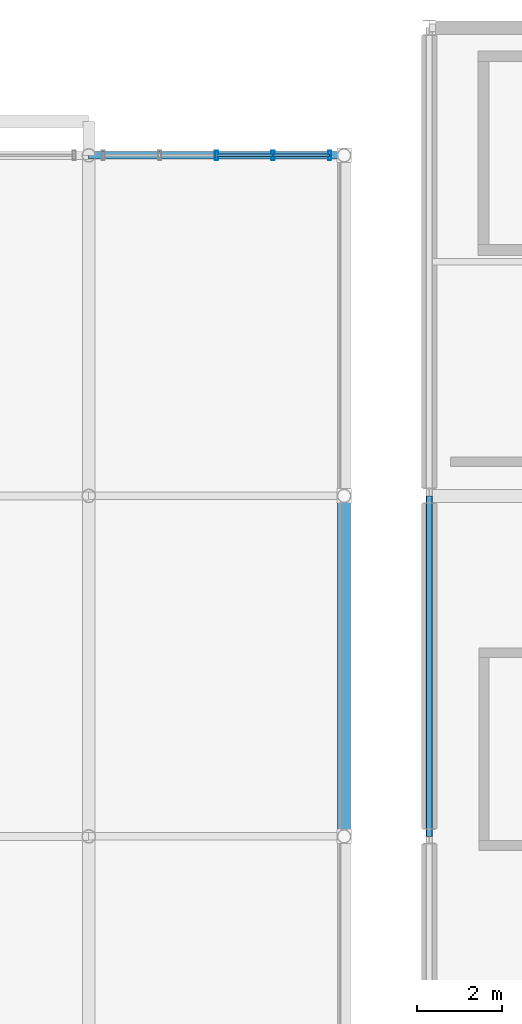
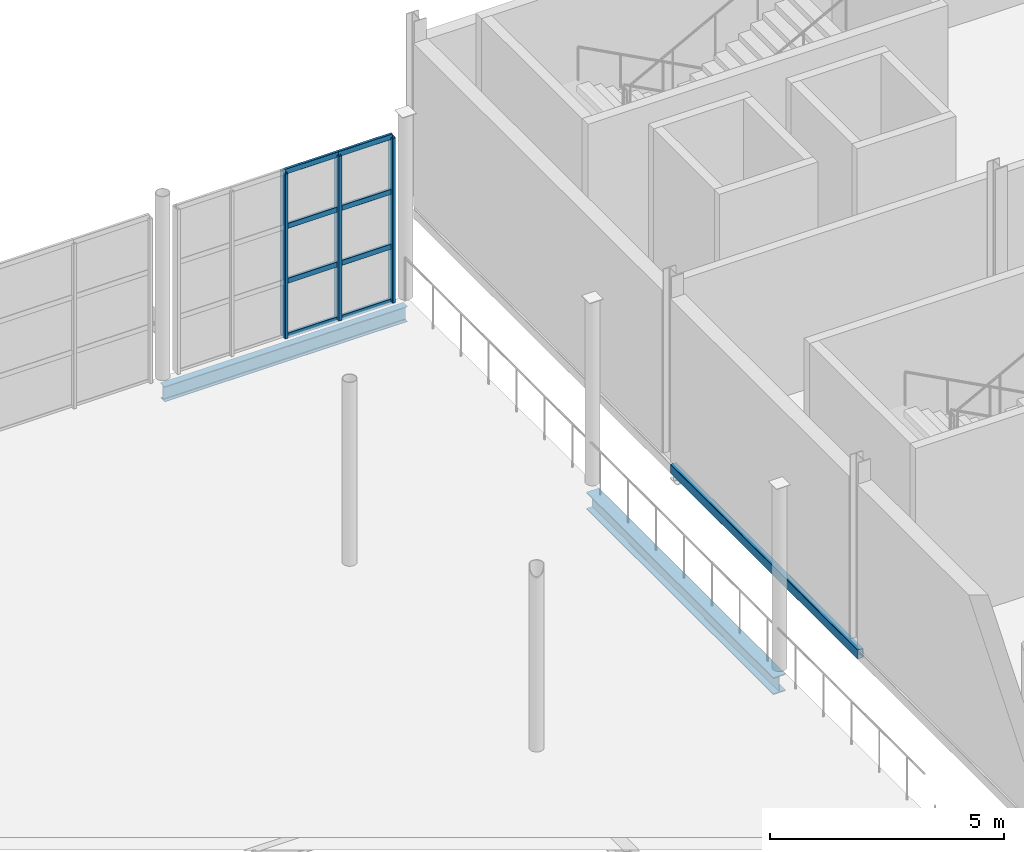
# One storey, part 74 of 143: 11 members, 3 beams, 1 element without a shape of its own.
"""IFC4 building model written with IfcOpenShell, lengths in metres."""

from ifc_helpers import new_model, si_unit, derived_unit, direction, frame, origin, origin_2d, place, context, subcontext, project, spatial, hollow_rectangle, i_section, extrude, material, material_profile, profile_set, type_object, element, aggregate, save


model = new_model("IFC4")

# Units and contexts
model_context = context("Model", 3, precision=1e-05, world=origin(), true_north=direction((0.0, 1.0)))
body_context = subcontext(model_context, "Body", "Model", "MODEL_VIEW")
ifc_project = project(units=[si_unit("LENGTHUNIT", "METRE"), si_unit("AREAUNIT", "SQUARE_METRE"), si_unit("VOLUMEUNIT", "CUBIC_METRE"), si_unit("PLANEANGLEUNIT", "RADIAN"), si_unit("MASSUNIT", "GRAM", prefix="KILO"), derived_unit("THERMALTRANSMITTANCEUNIT", [(si_unit("POWERUNIT", "WATT"), 1), (si_unit("LENGTHUNIT", "METRE"), -2), (si_unit("THERMODYNAMICTEMPERATUREUNIT", "KELVIN"), -1)])], contexts=[model_context])

# Site, building, storey
site_placement = place(None, origin())
site = spatial("IfcSite", under=ifc_project, at=site_placement, CompositionType="ELEMENT")
building_placement = place(site_placement, origin())
building = spatial("IfcBuilding", under=site, at=building_placement, Name="Keldorne Ridge Multi-Sports Centre", CompositionType="ELEMENT")
storey_placement = place(building_placement, frame((0.0, 0.0, 4.800048828125)))
storey = spatial("IfcBuildingStorey", under=building, at=storey_placement, Name="L01", CompositionType="ELEMENT", Elevation=4.800048828125)

# Beams
ifc_material_1 = material(Name="Steel S355", Category="steel")
ifc_material_profile_1 = material_profile(ifc_material_1, i_section(OverallWidth=0.179931640625, OverallDepth=0.39990234375, WebThickness=0.008544921875, FlangeThickness=0.013427734375, FilletRadius=0.02099609375, at=origin_2d()), Name="IPE 400")
ifc_profile_set_1 = profile_set([ifc_material_profile_1], Name="Steel S355")
beam_type_1 = type_object("IfcBeamType", Name="BM-B-04", PredefinedType="BEAM", material=ifc_profile_set_1)
beam_1_placement = place(storey_placement, frame((96.0, 114.0, -0.420166015625), z_axis=(1.0, 0.0, 0.0), x_axis=(0.0, 1.0, 0.0)))
element("IfcBeam", 1, at=beam_1_placement, inside=storey, type_object=beam_type_1, Name="L01 east gallery beam 14", PredefinedType="BEAM", context=body_context, shape_type="SweptSolid", body=[
    extrude(i_section(OverallWidth=0.179931640625, OverallDepth=0.39990234375, WebThickness=0.008544921875, FlangeThickness=0.013427734375, FilletRadius=0.02099609375, at=origin_2d()), origin(), (0.0, 0.0, 1.0), 6.0),
])
ifc_material_profile_2 = material_profile(ifc_material_1, i_section(OverallWidth=0.300048828125, OverallDepth=0.449951171875, WebThickness=0.013916015625, FlangeThickness=0.02587890625, FilletRadius=0.027099609375, at=origin_2d()), Name="HEB 450")
ifc_profile_set_2 = profile_set([ifc_material_profile_2], Name="Steel S355")
beam_type_2 = type_object("IfcBeamType", Name="BM-B-11", PredefinedType="BEAM", material=ifc_profile_set_2)
beam_2_placement = place(storey_placement, frame((102.0, 98.0, -0.445068359375), z_axis=(0.0, 1.0, 0.0), x_axis=(-1.0, 0.0, 0.0)))
element("IfcBeam", 2, at=beam_2_placement, inside=storey, type_object=beam_type_2, Name="L01 passage girder G15.12", PredefinedType="BEAM", context=body_context, shape_type="SweptSolid", body=[
    extrude(i_section(OverallWidth=0.300048828125, OverallDepth=0.449951171875, WebThickness=0.013916015625, FlangeThickness=0.02587890625, FilletRadius=0.027099609375, at=origin_2d()), origin(), (0.0, 0.0, 1.0), 8.0),
])
ifc_material_profile_3 = material_profile(ifc_material_1, hollow_rectangle(XDim=0.14990234375, YDim=0.25, WallThickness=0.010009765625, InnerFilletRadius=0.010009765625, OuterFilletRadius=0.02001953125, at=origin_2d()), Name="RHS 250x150x10")
ifc_profile_set_3 = profile_set([ifc_material_profile_3], Name="Steel S355")
beam_type_3 = type_object("IfcBeamType", Name="BM-SP-02", PredefinedType="SPANDREL", material=ifc_profile_set_3)
beam_3_placement = place(storey_placement, frame((104.0, 98.0, -0.344970703125), z_axis=(0.0, 1.0, 0.0), x_axis=(-1.0, 0.0, 0.0)))
element("IfcBeam", 3, at=beam_3_placement, inside=storey, type_object=beam_type_3, Name="L01 primary girder 104.5", PredefinedType="SPANDREL", context=body_context, shape_type="SweptSolid", body=[
    extrude(hollow_rectangle(XDim=0.14990234375, YDim=0.25, WallThickness=0.010009765625, InnerFilletRadius=0.010009765625, OuterFilletRadius=0.02001953125, at=origin_2d()), origin(), (0.0, 0.0, 1.0), 8.0),
])

# Curtain wall, members
ifc_material_2 = material(Name="Anodized aluminium", Category="aluminium")
curtain_wall_type = type_object("IfcCurtainWallType", Name="CW-CW-07", PredefinedType="NOTDEFINED", material=ifc_material_2)
curtain_wall_placement = place(storey_placement, origin())
curtain_wall = element("IfcCurtainWall", 4, at=curtain_wall_placement, inside=storey, type_object=curtain_wall_type, Name="Public Passage N upper glazing 079", PredefinedType="NOTDEFINED")
ifc_material_profile_4 = material_profile(ifc_material_2, hollow_rectangle(XDim=0.074951171875, YDim=0.219970703125, WallThickness=0.0048828125, InnerFilletRadius=0.0048828125, OuterFilletRadius=0.010009765625, at=origin_2d()), Name="ALU MULLION 220x75x5")
ifc_profile_set_4 = profile_set([ifc_material_profile_4], Name="Anodized aluminium")
member_type_1 = type_object("IfcMemberType", Name="MEM-ML-02", PredefinedType="MULLION", material=ifc_profile_set_4)
member_1_placement = place(storey_placement, frame((101.659912109375, 114.0, 0.0), z_axis=(0.0, 0.0, 1.0), x_axis=(1.0, 0.0, 0.0)))
member_1 = element("IfcMember", 5, at=member_1_placement, type_object=member_type_1, Name="CW-079 vertical mullion 1", PredefinedType="MULLION", context=body_context, shape_type="SweptSolid", body=[
    extrude(hollow_rectangle(XDim=0.074951171875, YDim=0.219970703125, WallThickness=0.0048828125, InnerFilletRadius=0.0048828125, OuterFilletRadius=0.010009765625, at=origin_2d()), origin(), (0.0, 0.0, 1.0), 4.300048828125),
])
member_2_placement = place(storey_placement, frame((100.330078125, 114.0, 0.0), z_axis=(0.0, 0.0, 1.0), x_axis=(1.0, 0.0, 0.0)))
member_2 = element("IfcMember", 6, at=member_2_placement, type_object=member_type_1, Name="CW-079 vertical mullion 2", PredefinedType="MULLION", context=body_context, shape_type="SweptSolid", body=[
    extrude(hollow_rectangle(XDim=0.074951171875, YDim=0.219970703125, WallThickness=0.0048828125, InnerFilletRadius=0.0048828125, OuterFilletRadius=0.010009765625, at=origin_2d()), origin(), (0.0, 0.0, 1.0), 4.300048828125),
])
member_3_placement = place(storey_placement, frame((99.0, 114.0, 0.0), z_axis=(0.0, 0.0, 1.0), x_axis=(1.0, 0.0, 0.0)))
member_3 = element("IfcMember", 7, at=member_3_placement, type_object=member_type_1, Name="CW-079 vertical mullion 3", PredefinedType="MULLION", context=body_context, shape_type="SweptSolid", body=[
    extrude(hollow_rectangle(XDim=0.074951171875, YDim=0.219970703125, WallThickness=0.0048828125, InnerFilletRadius=0.0048828125, OuterFilletRadius=0.010009765625, at=origin_2d()), origin(), (0.0, 0.0, 1.0), 4.300048828125),
])
ifc_material_profile_5 = material_profile(ifc_material_2, hollow_rectangle(XDim=0.06494140625, YDim=0.139892578125, WallThickness=0.00439453125, InnerFilletRadius=0.00439453125, OuterFilletRadius=0.009033203125, at=origin_2d()), Name="ALU TRANSOM 140x65x4.5")
ifc_profile_set_5 = profile_set([ifc_material_profile_5], Name="Anodized aluminium")
member_type_2 = type_object("IfcMemberType", Name="MEM-TR-01", PredefinedType="USERDEFINED", material=ifc_profile_set_5)
member_4_placement = place(storey_placement, frame((101.659912109375, 114.0, 0.0), z_axis=(-1.0, 0.0, 0.0), x_axis=(0.0, -1.0, 0.0)))
member_4 = element("IfcMember", 8, at=member_4_placement, type_object=member_type_2, Name="CW-079 transom 1.1", ObjectType="TRANSOM", PredefinedType="USERDEFINED", context=body_context, shape_type="SweptSolid", body=[
    extrude(hollow_rectangle(XDim=0.06494140625, YDim=0.139892578125, WallThickness=0.00439453125, InnerFilletRadius=0.00439453125, OuterFilletRadius=0.009033203125, at=origin_2d()), origin(), (0.0, 0.0, 1.0), 1.329833984375),
])
member_5_placement = place(storey_placement, frame((101.659912109375, 114.0, 1.433349609375), z_axis=(-1.0, 0.0, 0.0), x_axis=(0.0, -1.0, 0.0)))
member_5 = element("IfcMember", 9, at=member_5_placement, type_object=member_type_2, Name="CW-079 transom 1.2", ObjectType="TRANSOM", PredefinedType="USERDEFINED", context=body_context, shape_type="SweptSolid", body=[
    extrude(hollow_rectangle(XDim=0.06494140625, YDim=0.139892578125, WallThickness=0.00439453125, InnerFilletRadius=0.00439453125, OuterFilletRadius=0.009033203125, at=origin_2d()), origin(), (0.0, 0.0, 1.0), 1.329833984375),
])
member_6_placement = place(storey_placement, frame((101.659912109375, 114.0, 2.86669921875), z_axis=(-1.0, 0.0, 0.0), x_axis=(0.0, -1.0, 0.0)))
member_6 = element("IfcMember", 10, at=member_6_placement, type_object=member_type_2, Name="CW-079 transom 1.3", ObjectType="TRANSOM", PredefinedType="USERDEFINED", context=body_context, shape_type="SweptSolid", body=[
    extrude(hollow_rectangle(XDim=0.06494140625, YDim=0.139892578125, WallThickness=0.00439453125, InnerFilletRadius=0.00439453125, OuterFilletRadius=0.009033203125, at=origin_2d()), origin(), (0.0, 0.0, 1.0), 1.329833984375),
])
member_7_placement = place(storey_placement, frame((101.659912109375, 114.0, 4.300048828125), z_axis=(-1.0, 0.0, 0.0), x_axis=(0.0, -1.0, 0.0)))
member_7 = element("IfcMember", 11, at=member_7_placement, type_object=member_type_2, Name="CW-079 transom 1.4", ObjectType="TRANSOM", PredefinedType="USERDEFINED", context=body_context, shape_type="SweptSolid", body=[
    extrude(hollow_rectangle(XDim=0.06494140625, YDim=0.139892578125, WallThickness=0.00439453125, InnerFilletRadius=0.00439453125, OuterFilletRadius=0.009033203125, at=origin_2d()), origin(), (0.0, 0.0, 1.0), 1.329833984375),
])
member_8_placement = place(storey_placement, frame((100.330078125, 114.0, 0.0), z_axis=(-1.0, 0.0, 0.0), x_axis=(0.0, -1.0, 0.0)))
member_8 = element("IfcMember", 12, at=member_8_placement, type_object=member_type_2, Name="CW-079 transom 2.1", ObjectType="TRANSOM", PredefinedType="USERDEFINED", context=body_context, shape_type="SweptSolid", body=[
    extrude(hollow_rectangle(XDim=0.06494140625, YDim=0.139892578125, WallThickness=0.00439453125, InnerFilletRadius=0.00439453125, OuterFilletRadius=0.009033203125, at=origin_2d()), origin(), (0.0, 0.0, 1.0), 1.330078125),
])
member_9_placement = place(storey_placement, frame((100.330078125, 114.0, 1.433349609375), z_axis=(-1.0, 0.0, 0.0), x_axis=(0.0, -1.0, 0.0)))
member_9 = element("IfcMember", 13, at=member_9_placement, type_object=member_type_2, Name="CW-079 transom 2.2", ObjectType="TRANSOM", PredefinedType="USERDEFINED", context=body_context, shape_type="SweptSolid", body=[
    extrude(hollow_rectangle(XDim=0.06494140625, YDim=0.139892578125, WallThickness=0.00439453125, InnerFilletRadius=0.00439453125, OuterFilletRadius=0.009033203125, at=origin_2d()), origin(), (0.0, 0.0, 1.0), 1.330078125),
])
member_10_placement = place(storey_placement, frame((100.330078125, 114.0, 2.86669921875), z_axis=(-1.0, 0.0, 0.0), x_axis=(0.0, -1.0, 0.0)))
member_10 = element("IfcMember", 14, at=member_10_placement, type_object=member_type_2, Name="CW-079 transom 2.3", ObjectType="TRANSOM", PredefinedType="USERDEFINED", context=body_context, shape_type="SweptSolid", body=[
    extrude(hollow_rectangle(XDim=0.06494140625, YDim=0.139892578125, WallThickness=0.00439453125, InnerFilletRadius=0.00439453125, OuterFilletRadius=0.009033203125, at=origin_2d()), origin(), (0.0, 0.0, 1.0), 1.330078125),
])
member_11_placement = place(storey_placement, frame((100.330078125, 114.0, 4.300048828125), z_axis=(-1.0, 0.0, 0.0), x_axis=(0.0, -1.0, 0.0)))
member_11 = element("IfcMember", 15, at=member_11_placement, type_object=member_type_2, Name="CW-079 transom 2.4", ObjectType="TRANSOM", PredefinedType="USERDEFINED", context=body_context, shape_type="SweptSolid", body=[
    extrude(hollow_rectangle(XDim=0.06494140625, YDim=0.139892578125, WallThickness=0.00439453125, InnerFilletRadius=0.00439453125, OuterFilletRadius=0.009033203125, at=origin_2d()), origin(), (0.0, 0.0, 1.0), 1.330078125),
])
aggregate(curtain_wall, [member_1, member_2, member_3, member_4, member_5, member_6, member_7, member_8, member_9, member_10, member_11])

save(model, "model.ifc")
